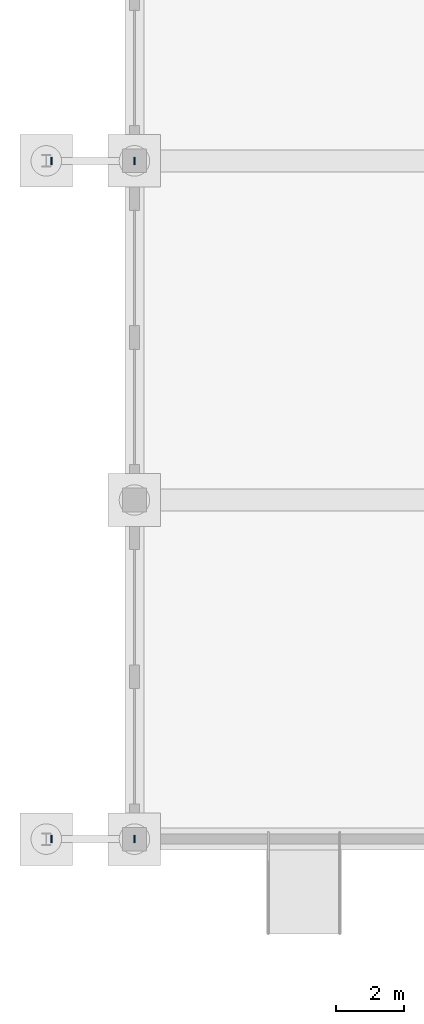
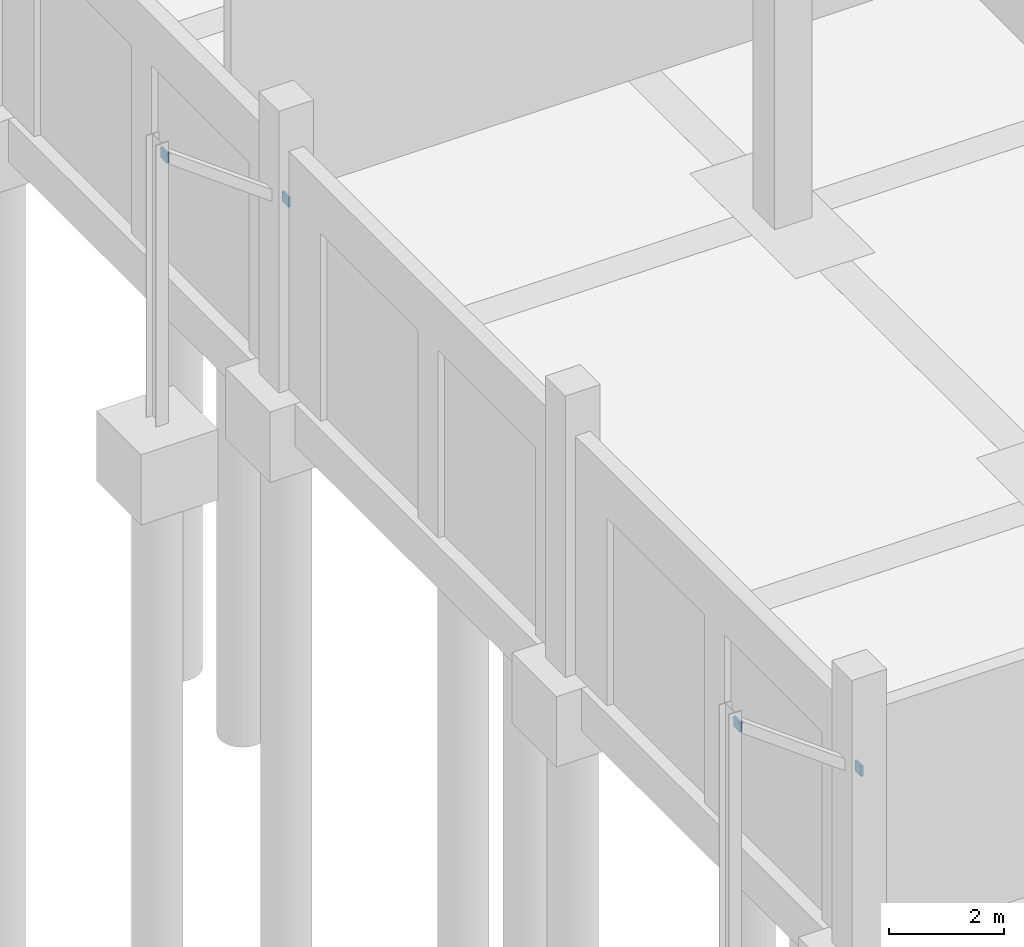
# One storey, part 74 of 140: 4 plates.
"""IFC4 building model written with IfcOpenShell, lengths in metres."""

from ifc_helpers import new_model, si_unit, direction, frame, origin, origin_2d, place, context, subcontext, project, spatial, rectangle, extrude, material, layer, layer_set, type_object, element, save


model = new_model("IFC4")

# Units and contexts
model_context = context("Model", 3, precision=1e-05, world=origin(), true_north=direction((0.0, 1.0)))
body_context = subcontext(model_context, "Body", "Model", "MODEL_VIEW")
ifc_project = project(units=[si_unit("LENGTHUNIT", "METRE"), si_unit("AREAUNIT", "SQUARE_METRE"), si_unit("VOLUMEUNIT", "CUBIC_METRE"), si_unit("PLANEANGLEUNIT", "RADIAN"), si_unit("MASSUNIT", "GRAM", prefix="KILO")], contexts=[model_context])

# Site, building, storey
site_placement = place(None, origin())
site = spatial("IfcSite", under=ifc_project, at=site_placement, CompositionType="ELEMENT")
building_placement = place(site_placement, origin())
building = spatial("IfcBuilding", under=site, at=building_placement, Name="Corvandel Quay Wholesale Market", CompositionType="ELEMENT")
storey_placement = place(building_placement, origin())
storey = spatial("IfcBuildingStorey", under=building, at=storey_placement, Name="L00", CompositionType="ELEMENT", Elevation=0.0)

# Plates
ifc_material = material(Name="Steel A572 Grade 50", Category="steel")
ifc_layer = layer(ifc_material, 0.044921875)
ifc_layer_set = layer_set([ifc_layer], Name="Steel A572 Grade 50")
plate_type = type_object("IfcPlateType", Name="Steel Brace End Cap Plate PLT02 45mm", PredefinedType="SHEET", material=ifc_layer_set)
for number, where, z_axis, x_axis, name in (
    (1, (-0.001708984375, 10.0, 3.69140625), (0.0, 0.0, 1.0), (0.0, 1.0, 0.0), "HSS Cap Plate PLT-0111"),
    (2, (-2.448486328125, 10.0, 5.48876953125), (0.0, 0.0, 1.0), (0.0, 1.0, 0.0), "HSS Cap Plate PLT-0112"),
    (3, (-0.001708984375, 30.0, 3.69140625), (0.0, 0.0, 1.0), (0.0, 1.0, 0.0), "HSS Cap Plate PLT-0113"),
    (4, (-2.448486328125, 30.0, 5.48876953125), (0.0, 0.0, 1.0), (0.0, 1.0, 0.0), "HSS Cap Plate PLT-0114"),
):
    element("IfcPlate", number, at=place(storey_placement, frame(where, z_axis=z_axis, x_axis=x_axis)), inside=storey, type_object=plate_type, Name=name, PredefinedType="SHEET", context=body_context, shape_type="SweptSolid", body=[
        extrude(rectangle(XDim=0.219970703125, YDim=0.044921875, at=origin_2d()), origin(), (0.0, 0.0, 1.0), 0.219970703125),
    ])

save(model, "model.ifc")
